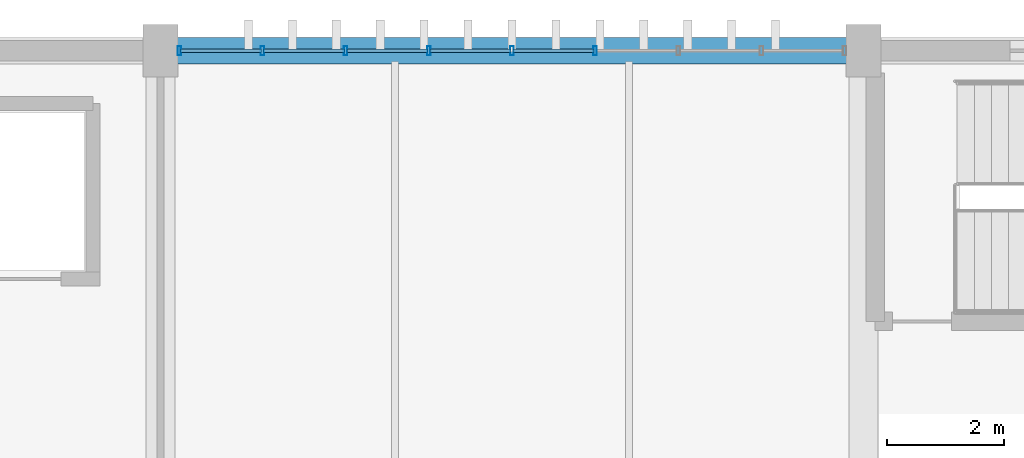
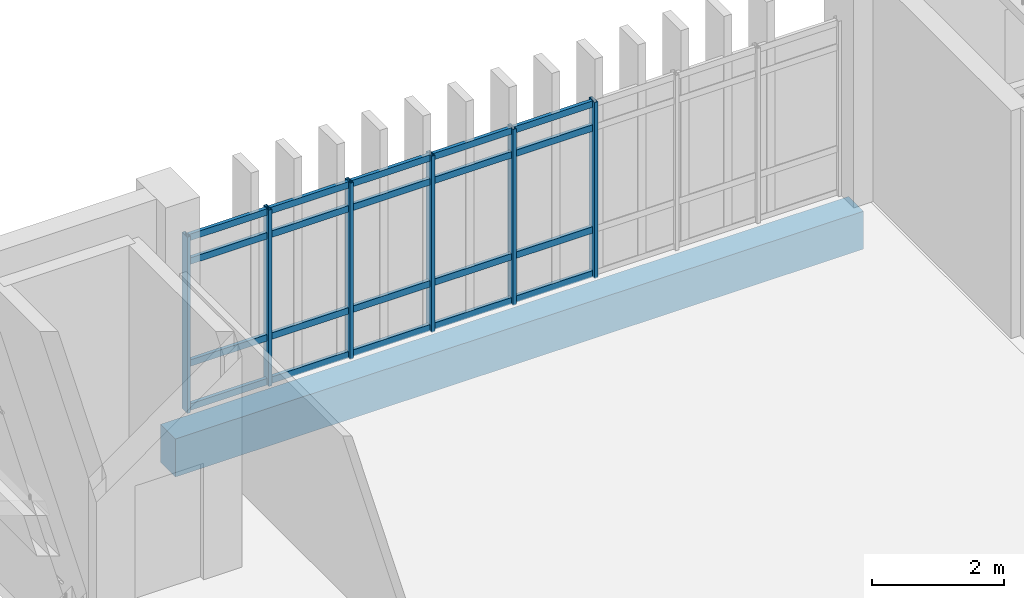
# One storey, part 51 of 111: 26 members, 1 beam, 1 element without a shape of its own.
"""IFC4 building model written with IfcOpenShell, lengths in metres."""

from ifc_helpers import new_model, si_unit, direction, frame, origin, origin_2d, place, context, subcontext, project, spatial, rectangle, hollow_rectangle, extrude, material, layer, layer_set, material_profile, profile_set, type_object, element, aggregate, save


model = new_model("IFC4")

# Units and contexts
model_context = context("Model", 3, precision=1e-05, world=origin(), true_north=direction((0.0, 1.0)))
body_context = subcontext(model_context, "Body", "Model", "MODEL_VIEW")
ifc_project = project(units=[si_unit("LENGTHUNIT", "METRE"), si_unit("AREAUNIT", "SQUARE_METRE"), si_unit("VOLUMEUNIT", "CUBIC_METRE"), si_unit("PLANEANGLEUNIT", "RADIAN"), si_unit("MASSUNIT", "GRAM", prefix="KILO")], contexts=[model_context])

# Site, building, storey
site_placement = place(None, origin())
site = spatial("IfcSite", under=ifc_project, at=site_placement, CompositionType="ELEMENT")
building_placement = place(site_placement, origin())
building = spatial("IfcBuilding", under=site, at=building_placement, Name="Mersad Railyard Sports Hall", CompositionType="ELEMENT")
storey_placement = place(building_placement, frame((0.0, 0.0, 9.0)))
storey = spatial("IfcBuildingStorey", under=building, at=storey_placement, Name="L02", CompositionType="ELEMENT", Elevation=9.0)

# Curtain wall, members
ifc_material_1 = material(Name="Aluminium 6063-T6", Category="aluminium")
ifc_layer = layer(ifc_material_1, 0.159912109375)
ifc_layer_set = layer_set([ifc_layer], Name="Aluminium 6063-T6")
curtain_wall_type = type_object("IfcCurtainWallType", Name="ARC-CW-CW52", PredefinedType="USERDEFINED", material=ifc_layer_set)
curtain_wall_placement = place(storey_placement, origin())
curtain_wall = element("IfcCurtainWall", 1, at=curtain_wall_placement, inside=storey, type_object=curtain_wall_type, Name="Curtain wall CW52-0140", ObjectType="CURTAIN WALL", PredefinedType="USERDEFINED")
ifc_material_profile_1 = material_profile(ifc_material_1, hollow_rectangle(XDim=0.06005859375, YDim=0.159912109375, WallThickness=0.00390625, at=origin_2d()), Name="AL MULLION 60x160x4")
ifc_profile_set_1 = profile_set([ifc_material_profile_1], Name="Aluminium 6063-T6")
member_type_1 = type_object("IfcMemberType", Name="ARC-CW-MUL01", PredefinedType="MULLION", material=ifc_profile_set_1)
member_1_placement = place(storey_placement, frame((79.320068359375, 115.0, -0.02001953125), z_axis=(0.0, 0.0, 1.0), x_axis=(1.0, 0.0, 0.0)))
member_1 = element("IfcMember", 2, at=member_1_placement, type_object=member_type_1, Name="CW52 Mullion 1", PredefinedType="MULLION", context=body_context, shape_type="SweptSolid", body=[
    extrude(hollow_rectangle(XDim=0.06005859375, YDim=0.159912109375, WallThickness=0.00390625, at=origin_2d()), origin(), (0.0, 0.0, 1.0), 3.25),
])
member_2_placement = place(storey_placement, frame((80.739990234375, 115.0, -0.02001953125), z_axis=(0.0, 0.0, 1.0), x_axis=(1.0, 0.0, 0.0)))
member_2 = element("IfcMember", 3, at=member_2_placement, type_object=member_type_1, Name="CW52 Mullion 2", PredefinedType="MULLION", context=body_context, shape_type="SweptSolid", body=[
    extrude(hollow_rectangle(XDim=0.06005859375, YDim=0.159912109375, WallThickness=0.00390625, at=origin_2d()), origin(), (0.0, 0.0, 1.0), 3.25),
])
member_3_placement = place(storey_placement, frame((82.159912109375, 115.0, -0.02001953125), z_axis=(0.0, 0.0, 1.0), x_axis=(1.0, 0.0, 0.0)))
member_3 = element("IfcMember", 4, at=member_3_placement, type_object=member_type_1, Name="CW52 Mullion 3", PredefinedType="MULLION", context=body_context, shape_type="SweptSolid", body=[
    extrude(hollow_rectangle(XDim=0.06005859375, YDim=0.159912109375, WallThickness=0.00390625, at=origin_2d()), origin(), (0.0, 0.0, 1.0), 3.25),
])
member_4_placement = place(storey_placement, frame((83.580078125, 115.0, -0.02001953125), z_axis=(0.0, 0.0, 1.0), x_axis=(1.0, 0.0, 0.0)))
member_4 = element("IfcMember", 5, at=member_4_placement, type_object=member_type_1, Name="CW52 Mullion 4", PredefinedType="MULLION", context=body_context, shape_type="SweptSolid", body=[
    extrude(hollow_rectangle(XDim=0.06005859375, YDim=0.159912109375, WallThickness=0.00390625, at=origin_2d()), origin(), (0.0, 0.0, 1.0), 3.25),
])
member_5_placement = place(storey_placement, frame((85.0, 115.0, -0.02001953125), z_axis=(0.0, 0.0, 1.0), x_axis=(1.0, 0.0, 0.0)))
member_5 = element("IfcMember", 6, at=member_5_placement, type_object=member_type_1, Name="CW52 Mullion 5", PredefinedType="MULLION", context=body_context, shape_type="SweptSolid", body=[
    extrude(hollow_rectangle(XDim=0.06005859375, YDim=0.159912109375, WallThickness=0.00390625, at=origin_2d()), origin(), (0.0, 0.0, 1.0), 3.25),
])
member_6_placement = place(storey_placement, frame((86.419921875, 115.0, -0.02001953125), z_axis=(0.0, 0.0, 1.0), x_axis=(1.0, 0.0, 0.0)))
member_6 = element("IfcMember", 7, at=member_6_placement, type_object=member_type_1, Name="CW52 Mullion 6", PredefinedType="MULLION", context=body_context, shape_type="SweptSolid", body=[
    extrude(hollow_rectangle(XDim=0.06005859375, YDim=0.159912109375, WallThickness=0.00390625, at=origin_2d()), origin(), (0.0, 0.0, 1.0), 3.25),
])
ifc_material_profile_2 = material_profile(ifc_material_1, hollow_rectangle(XDim=0.06005859375, YDim=0.1201171875, WallThickness=0.00390625, at=origin_2d()), Name="AL TRANSOM 60x120x4")
ifc_profile_set_2 = profile_set([ifc_material_profile_2], Name="Aluminium 6063-T6")
member_type_2 = type_object("IfcMemberType", Name="ARC-CW-TRN01", PredefinedType="USERDEFINED", material=ifc_profile_set_2)
member_7_placement = place(storey_placement, frame((79.340087890625, 115.0, 0.0400390625), z_axis=(1.0, 0.0, 0.0), x_axis=(0.0, 1.0, 0.0)))
member_7 = element("IfcMember", 8, at=member_7_placement, type_object=member_type_2, Name="CW52 Transom 1-1", ObjectType="TRANSOM", PredefinedType="USERDEFINED", context=body_context, shape_type="SweptSolid", body=[
    extrude(hollow_rectangle(XDim=0.06005859375, YDim=0.1201171875, WallThickness=0.00390625, at=origin_2d()), origin(), (0.0, 0.0, 1.0), 1.3798828125),
])
member_8_placement = place(storey_placement, frame((80.760009765625, 115.0, 0.0400390625), z_axis=(1.0, 0.0, 0.0), x_axis=(0.0, 1.0, 0.0)))
member_8 = element("IfcMember", 9, at=member_8_placement, type_object=member_type_2, Name="CW52 Transom 1-2", ObjectType="TRANSOM", PredefinedType="USERDEFINED", context=body_context, shape_type="SweptSolid", body=[
    extrude(hollow_rectangle(XDim=0.06005859375, YDim=0.1201171875, WallThickness=0.00390625, at=origin_2d()), origin(), (0.0, 0.0, 1.0), 1.3798828125),
])
member_9_placement = place(storey_placement, frame((82.179931640625, 115.0, 0.0400390625), z_axis=(1.0, 0.0, 0.0), x_axis=(0.0, 1.0, 0.0)))
member_9 = element("IfcMember", 10, at=member_9_placement, type_object=member_type_2, Name="CW52 Transom 1-3", ObjectType="TRANSOM", PredefinedType="USERDEFINED", context=body_context, shape_type="SweptSolid", body=[
    extrude(hollow_rectangle(XDim=0.06005859375, YDim=0.1201171875, WallThickness=0.00390625, at=origin_2d()), origin(), (0.0, 0.0, 1.0), 1.380126953125),
])
member_10_placement = place(storey_placement, frame((83.60009765625, 115.0, 0.0400390625), z_axis=(1.0, 0.0, 0.0), x_axis=(0.0, 1.0, 0.0)))
member_10 = element("IfcMember", 11, at=member_10_placement, type_object=member_type_2, Name="CW52 Transom 1-4", ObjectType="TRANSOM", PredefinedType="USERDEFINED", context=body_context, shape_type="SweptSolid", body=[
    extrude(hollow_rectangle(XDim=0.06005859375, YDim=0.1201171875, WallThickness=0.00390625, at=origin_2d()), origin(), (0.0, 0.0, 1.0), 1.3798828125),
])
member_11_placement = place(storey_placement, frame((85.02001953125, 115.0, 0.0400390625), z_axis=(1.0, 0.0, 0.0), x_axis=(0.0, 1.0, 0.0)))
member_11 = element("IfcMember", 12, at=member_11_placement, type_object=member_type_2, Name="CW52 Transom 1-5", ObjectType="TRANSOM", PredefinedType="USERDEFINED", context=body_context, shape_type="SweptSolid", body=[
    extrude(hollow_rectangle(XDim=0.06005859375, YDim=0.1201171875, WallThickness=0.00390625, at=origin_2d()), origin(), (0.0, 0.0, 1.0), 1.3798828125),
])
member_12_placement = place(storey_placement, frame((79.340087890625, 115.0, 0.85009765625), z_axis=(1.0, 0.0, 0.0), x_axis=(0.0, 1.0, 0.0)))
member_12 = element("IfcMember", 13, at=member_12_placement, type_object=member_type_2, Name="CW52 Transom 2-1", ObjectType="TRANSOM", PredefinedType="USERDEFINED", context=body_context, shape_type="SweptSolid", body=[
    extrude(hollow_rectangle(XDim=0.06005859375, YDim=0.1201171875, WallThickness=0.00390625, at=origin_2d()), origin(), (0.0, 0.0, 1.0), 1.3798828125),
])
member_13_placement = place(storey_placement, frame((80.760009765625, 115.0, 0.85009765625), z_axis=(1.0, 0.0, 0.0), x_axis=(0.0, 1.0, 0.0)))
member_13 = element("IfcMember", 14, at=member_13_placement, type_object=member_type_2, Name="CW52 Transom 2-2", ObjectType="TRANSOM", PredefinedType="USERDEFINED", context=body_context, shape_type="SweptSolid", body=[
    extrude(hollow_rectangle(XDim=0.06005859375, YDim=0.1201171875, WallThickness=0.00390625, at=origin_2d()), origin(), (0.0, 0.0, 1.0), 1.3798828125),
])
member_14_placement = place(storey_placement, frame((82.179931640625, 115.0, 0.85009765625), z_axis=(1.0, 0.0, 0.0), x_axis=(0.0, 1.0, 0.0)))
member_14 = element("IfcMember", 15, at=member_14_placement, type_object=member_type_2, Name="CW52 Transom 2-3", ObjectType="TRANSOM", PredefinedType="USERDEFINED", context=body_context, shape_type="SweptSolid", body=[
    extrude(hollow_rectangle(XDim=0.06005859375, YDim=0.1201171875, WallThickness=0.00390625, at=origin_2d()), origin(), (0.0, 0.0, 1.0), 1.380126953125),
])
member_15_placement = place(storey_placement, frame((83.60009765625, 115.0, 0.85009765625), z_axis=(1.0, 0.0, 0.0), x_axis=(0.0, 1.0, 0.0)))
member_15 = element("IfcMember", 16, at=member_15_placement, type_object=member_type_2, Name="CW52 Transom 2-4", ObjectType="TRANSOM", PredefinedType="USERDEFINED", context=body_context, shape_type="SweptSolid", body=[
    extrude(hollow_rectangle(XDim=0.06005859375, YDim=0.1201171875, WallThickness=0.00390625, at=origin_2d()), origin(), (0.0, 0.0, 1.0), 1.3798828125),
])
member_16_placement = place(storey_placement, frame((85.02001953125, 115.0, 0.85009765625), z_axis=(1.0, 0.0, 0.0), x_axis=(0.0, 1.0, 0.0)))
member_16 = element("IfcMember", 17, at=member_16_placement, type_object=member_type_2, Name="CW52 Transom 2-5", ObjectType="TRANSOM", PredefinedType="USERDEFINED", context=body_context, shape_type="SweptSolid", body=[
    extrude(hollow_rectangle(XDim=0.06005859375, YDim=0.1201171875, WallThickness=0.00390625, at=origin_2d()), origin(), (0.0, 0.0, 1.0), 1.3798828125),
])
member_17_placement = place(storey_placement, frame((79.340087890625, 115.0, 2.72998046875), z_axis=(1.0, 0.0, 0.0), x_axis=(0.0, 1.0, 0.0)))
member_17 = element("IfcMember", 18, at=member_17_placement, type_object=member_type_2, Name="CW52 Transom 3-1", ObjectType="TRANSOM", PredefinedType="USERDEFINED", context=body_context, shape_type="SweptSolid", body=[
    extrude(hollow_rectangle(XDim=0.06005859375, YDim=0.1201171875, WallThickness=0.00390625, at=origin_2d()), origin(), (0.0, 0.0, 1.0), 1.3798828125),
])
member_18_placement = place(storey_placement, frame((80.760009765625, 115.0, 2.72998046875), z_axis=(1.0, 0.0, 0.0), x_axis=(0.0, 1.0, 0.0)))
member_18 = element("IfcMember", 19, at=member_18_placement, type_object=member_type_2, Name="CW52 Transom 3-2", ObjectType="TRANSOM", PredefinedType="USERDEFINED", context=body_context, shape_type="SweptSolid", body=[
    extrude(hollow_rectangle(XDim=0.06005859375, YDim=0.1201171875, WallThickness=0.00390625, at=origin_2d()), origin(), (0.0, 0.0, 1.0), 1.3798828125),
])
member_19_placement = place(storey_placement, frame((82.179931640625, 115.0, 2.72998046875), z_axis=(1.0, 0.0, 0.0), x_axis=(0.0, 1.0, 0.0)))
member_19 = element("IfcMember", 20, at=member_19_placement, type_object=member_type_2, Name="CW52 Transom 3-3", ObjectType="TRANSOM", PredefinedType="USERDEFINED", context=body_context, shape_type="SweptSolid", body=[
    extrude(hollow_rectangle(XDim=0.06005859375, YDim=0.1201171875, WallThickness=0.00390625, at=origin_2d()), origin(), (0.0, 0.0, 1.0), 1.380126953125),
])
member_20_placement = place(storey_placement, frame((83.60009765625, 115.0, 2.72998046875), z_axis=(1.0, 0.0, 0.0), x_axis=(0.0, 1.0, 0.0)))
member_20 = element("IfcMember", 21, at=member_20_placement, type_object=member_type_2, Name="CW52 Transom 3-4", ObjectType="TRANSOM", PredefinedType="USERDEFINED", context=body_context, shape_type="SweptSolid", body=[
    extrude(hollow_rectangle(XDim=0.06005859375, YDim=0.1201171875, WallThickness=0.00390625, at=origin_2d()), origin(), (0.0, 0.0, 1.0), 1.3798828125),
])
member_21_placement = place(storey_placement, frame((85.02001953125, 115.0, 2.72998046875), z_axis=(1.0, 0.0, 0.0), x_axis=(0.0, 1.0, 0.0)))
member_21 = element("IfcMember", 22, at=member_21_placement, type_object=member_type_2, Name="CW52 Transom 3-5", ObjectType="TRANSOM", PredefinedType="USERDEFINED", context=body_context, shape_type="SweptSolid", body=[
    extrude(hollow_rectangle(XDim=0.06005859375, YDim=0.1201171875, WallThickness=0.00390625, at=origin_2d()), origin(), (0.0, 0.0, 1.0), 1.3798828125),
])
member_22_placement = place(storey_placement, frame((79.340087890625, 115.0, 3.169921875), z_axis=(1.0, 0.0, 0.0), x_axis=(0.0, 1.0, 0.0)))
member_22 = element("IfcMember", 23, at=member_22_placement, type_object=member_type_2, Name="CW52 Transom 4-1", ObjectType="TRANSOM", PredefinedType="USERDEFINED", context=body_context, shape_type="SweptSolid", body=[
    extrude(hollow_rectangle(XDim=0.06005859375, YDim=0.1201171875, WallThickness=0.00390625, at=origin_2d()), origin(), (0.0, 0.0, 1.0), 1.3798828125),
])
member_23_placement = place(storey_placement, frame((80.760009765625, 115.0, 3.169921875), z_axis=(1.0, 0.0, 0.0), x_axis=(0.0, 1.0, 0.0)))
member_23 = element("IfcMember", 24, at=member_23_placement, type_object=member_type_2, Name="CW52 Transom 4-2", ObjectType="TRANSOM", PredefinedType="USERDEFINED", context=body_context, shape_type="SweptSolid", body=[
    extrude(hollow_rectangle(XDim=0.06005859375, YDim=0.1201171875, WallThickness=0.00390625, at=origin_2d()), origin(), (0.0, 0.0, 1.0), 1.3798828125),
])
member_24_placement = place(storey_placement, frame((82.179931640625, 115.0, 3.169921875), z_axis=(1.0, 0.0, 0.0), x_axis=(0.0, 1.0, 0.0)))
member_24 = element("IfcMember", 25, at=member_24_placement, type_object=member_type_2, Name="CW52 Transom 4-3", ObjectType="TRANSOM", PredefinedType="USERDEFINED", context=body_context, shape_type="SweptSolid", body=[
    extrude(hollow_rectangle(XDim=0.06005859375, YDim=0.1201171875, WallThickness=0.00390625, at=origin_2d()), origin(), (0.0, 0.0, 1.0), 1.380126953125),
])
member_25_placement = place(storey_placement, frame((83.60009765625, 115.0, 3.169921875), z_axis=(1.0, 0.0, 0.0), x_axis=(0.0, 1.0, 0.0)))
member_25 = element("IfcMember", 26, at=member_25_placement, type_object=member_type_2, Name="CW52 Transom 4-4", ObjectType="TRANSOM", PredefinedType="USERDEFINED", context=body_context, shape_type="SweptSolid", body=[
    extrude(hollow_rectangle(XDim=0.06005859375, YDim=0.1201171875, WallThickness=0.00390625, at=origin_2d()), origin(), (0.0, 0.0, 1.0), 1.3798828125),
])
member_26_placement = place(storey_placement, frame((85.02001953125, 115.0, 3.169921875), z_axis=(1.0, 0.0, 0.0), x_axis=(0.0, 1.0, 0.0)))
member_26 = element("IfcMember", 27, at=member_26_placement, type_object=member_type_2, Name="CW52 Transom 4-5", ObjectType="TRANSOM", PredefinedType="USERDEFINED", context=body_context, shape_type="SweptSolid", body=[
    extrude(hollow_rectangle(XDim=0.06005859375, YDim=0.1201171875, WallThickness=0.00390625, at=origin_2d()), origin(), (0.0, 0.0, 1.0), 1.3798828125),
])
aggregate(curtain_wall, [member_1, member_2, member_3, member_4, member_5, member_6, member_7, member_8, member_9, member_10, member_11, member_12, member_13, member_14, member_15, member_16, member_17, member_18, member_19, member_20, member_21, member_22, member_23, member_24, member_25, member_26])

# Beam
ifc_material_2 = material(Name="Architectural concrete C40/50", Category="concrete")
ifc_material_profile_3 = material_profile(ifc_material_2, rectangle(XDim=0.449951171875, YDim=0.699951171875, at=origin_2d()), Name="RC 450x700")
ifc_profile_set_3 = profile_set([ifc_material_profile_3], Name="Architectural concrete C40/50")
beam_type = type_object("IfcBeamType", Name="STR-BM-SP01", PredefinedType="SPANDREL", material=ifc_profile_set_3)
beam_placement = place(storey_placement, frame((79.0, 115.0, -0.64990234375), z_axis=(1.0, 0.0, 0.0), x_axis=(0.0, 1.0, 0.0)))
element("IfcBeam", 28, at=beam_placement, inside=storey, type_object=beam_type, Name="Beam SP01-1092", PredefinedType="SPANDREL", context=body_context, shape_type="SweptSolid", body=[
    extrude(rectangle(XDim=0.449951171875, YDim=0.699951171875, at=origin_2d()), origin(), (0.0, 0.0, 1.0), 12.0),
])

save(model, "model.ifc")
